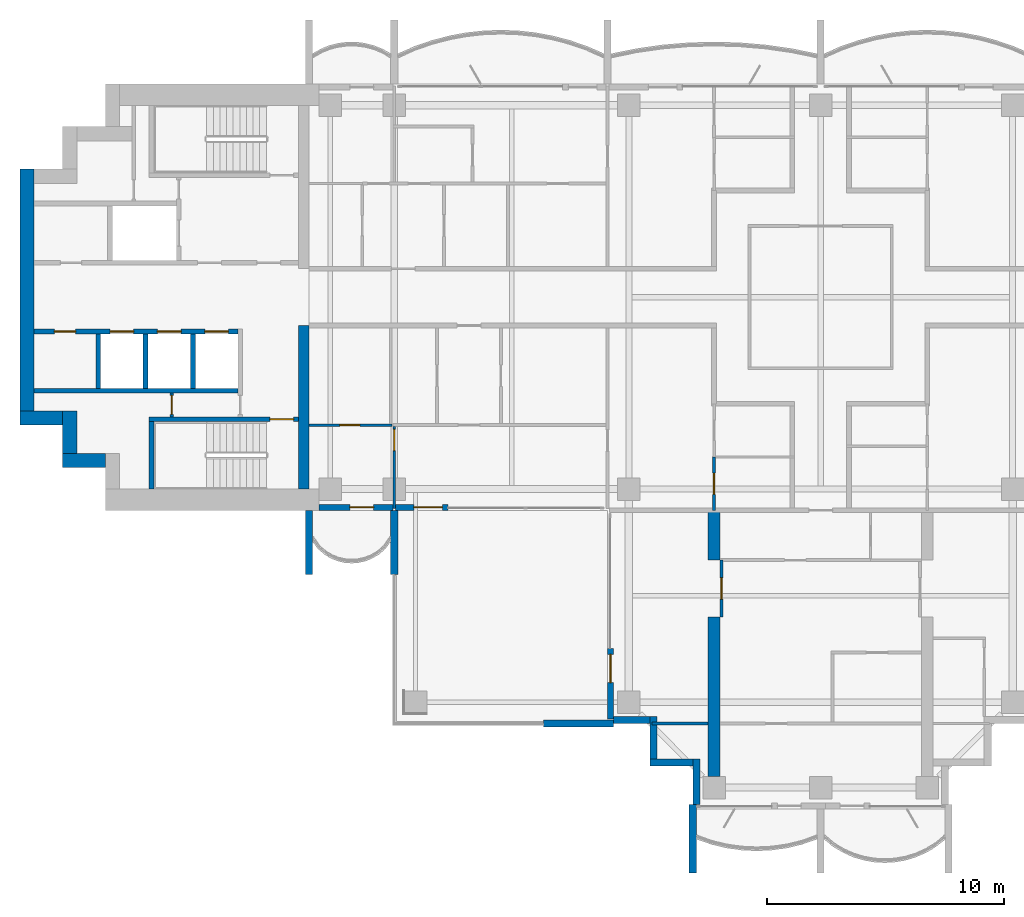
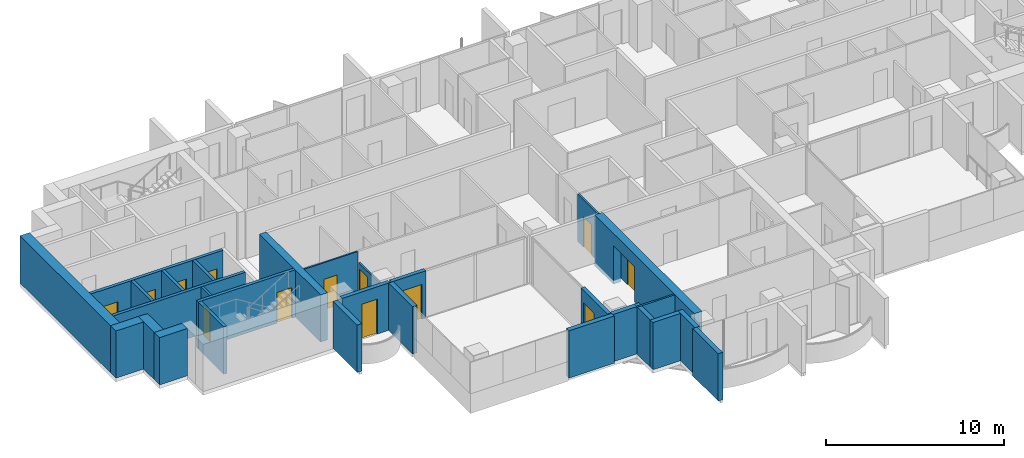
# One storey, part 8 of 18: 30 walls, 13 doors, 13 openings.
"""IFC4 building model written with IfcOpenShell, lengths in metres."""

import ifcopenshell
import ifcopenshell.guid

model = None  # the IFC model being written
_history = None  # IfcOwnerHistory: only IFC2X3 demands one
_inside = {}  # id of a spatial element -> (the spatial element, [elements in it])
_under = {}  # id of a project, library or spatial element -> (it, [spatial elements below it])
_declared = {}  # id of a project -> (the project, [libraries it declares])
_typed = {}  # id of a type object -> (the type object, [elements of that type])
_made_of = {}  # id of a material, layer set ... -> (it, [elements and type objects made of it])


def new_model(schema):
    """Start an empty IFC model of exactly this schema.

    Asked for "IFC4X3", IfcOpenShell would pick the latest addendum, in which some entities
    have other attributes; the version numbers below select the first issue.
    IFC2X3 requires an IfcOwnerHistory on every rooted entity: one is made here for all.
    """
    global model, _history
    if schema == "IFC4X3":
        model = ifcopenshell.file(schema_version=(4, 3, 0, 0))
    else:
        model = ifcopenshell.file(schema=schema)
    _inside.clear()
    _under.clear()
    _declared.clear()
    _typed.clear()
    _made_of.clear()
    _history = None
    if model.schema == "IFC2X3":
        org = make("IfcOrganization", Name="unknown")
        user = make(
            "IfcPersonAndOrganization",
            ThePerson=make("IfcPerson", FamilyName="unknown"),
            TheOrganization=org,
        )
        app = make(
            "IfcApplication",
            ApplicationDeveloper=org,
            Version="unknown",
            ApplicationFullName="unknown",
            ApplicationIdentifier="unknown",
        )
        _history = make(
            "IfcOwnerHistory",
            OwningUser=user,
            OwningApplication=app,
            ChangeAction="ADDED",
            CreationDate=0,
        )
    return model


def make(cls, **values):
    """One entity of the class cls with the attributes given. An attribute that is None is left unset."""
    return model.create_entity(
        cls, **{name: value for name, value in values.items() if value is not None}
    )


def rooted(cls, **values):
    """An entity with a GlobalId (a new one), such as an element, a storey or a relation."""
    return make(cls, GlobalId=ifcopenshell.guid.new(), OwnerHistory=_history, **values)


def si_unit(unit_type, name, prefix=None):
    """IfcSIUnit, for example si_unit("LENGTHUNIT", "METRE", prefix="MILLI")."""
    return make("IfcSIUnit", UnitType=unit_type, Prefix=prefix, Name=name)


def assignment(units):
    """IfcUnitAssignment: the units of a project."""
    return None if units is None else make("IfcUnitAssignment", Units=units)


def point(xyz):
    """IfcCartesianPoint."""
    return None if xyz is None else make("IfcCartesianPoint", Coordinates=xyz)


def direction(xyz):
    """IfcDirection."""
    return None if xyz is None else make("IfcDirection", DirectionRatios=xyz)


def frame(location, z_axis=None, x_axis=None):
    """IfcAxis2Placement3D, a coordinate frame: its origin and axes. An axis left out is left unset."""
    return make(
        "IfcAxis2Placement3D",
        Location=point(location),
        Axis=direction(z_axis),
        RefDirection=direction(x_axis),
    )


def frame_2d(location, x_axis=None):
    """IfcAxis2Placement2D, a coordinate frame in the plane: its origin and x axis."""
    return make(
        "IfcAxis2Placement2D", Location=point(location), RefDirection=direction(x_axis)
    )


def origin():
    """The frame at (0, 0, 0) with its axes left unset."""
    return frame((0.0, 0.0, 0.0))


def place(relative_to, where):
    """IfcLocalPlacement: puts the frame where relative to a parent placement (None: the world)."""
    return make(
        "IfcLocalPlacement", PlacementRelTo=relative_to, RelativePlacement=where
    )


def context(
    kind, dimensions, precision=None, world=None, true_north=None, identifier=None
):
    """IfcGeometricRepresentationContext, for example the 3D "Model" context."""
    return make(
        "IfcGeometricRepresentationContext",
        ContextIdentifier=identifier,
        ContextType=kind,
        CoordinateSpaceDimension=dimensions,
        Precision=precision,
        WorldCoordinateSystem=world,
        TrueNorth=true_north,
    )


def subcontext(parent, identifier, kind, view, scale=None):
    """IfcGeometricRepresentationSubContext, for example "Body" below "Model"."""
    return make(
        "IfcGeometricRepresentationSubContext",
        ContextIdentifier=identifier,
        ContextType=kind,
        ParentContext=parent,
        TargetScale=scale,
        TargetView=view,
    )


def project(units=None, contexts=None):
    """IfcProject with its units and contexts."""
    return rooted(
        "IfcProject",
        Name="project",
        RepresentationContexts=contexts,
        UnitsInContext=assignment(units),
    )


def spatial(cls, under=None, at=None, **own):
    """A site, building, storey or space (cls), placed at a placement, below another one or the project."""
    s = rooted(cls, ObjectPlacement=at, **own)
    if under is not None:
        _under.setdefault(under.id(), (under, []))[1].append(s)
    return s


def polyline(points):
    """IfcPolyline through the points."""
    return make("IfcPolyline", Points=[point(p) for p in points])


def profile(cls, at=None, kind="AREA", **sizes):
    """A parametric profile (cls). Its sizes go by their IFC names, for example OverallWidth=200.0."""
    return make(cls, ProfileType=kind, Position=at, **sizes)


def rectangle(**sizes):
    """IfcRectangleProfileDef."""
    return profile("IfcRectangleProfileDef", **sizes)


def outline(outer, holes=None, kind="AREA"):
    """IfcArbitraryClosedProfileDef: a profile drawn as a closed curve; with holes, ...WithVoids."""
    if holes is None:
        return make("IfcArbitraryClosedProfileDef", ProfileType=kind, OuterCurve=outer)
    return make(
        "IfcArbitraryProfileDefWithVoids",
        ProfileType=kind,
        OuterCurve=outer,
        InnerCurves=holes,
    )


def extrude(swept, where, along, depth):
    """IfcExtrudedAreaSolid: the profile swept, set in the frame where, extruded along a direction by depth."""
    return make(
        "IfcExtrudedAreaSolid",
        SweptArea=swept,
        Position=where,
        ExtrudedDirection=direction(along),
        Depth=depth,
    )


def shape(context_of_items, identifier, shape_type, items):
    """IfcShapeRepresentation: the items that make up one representation, for example the "Body"."""
    return make(
        "IfcShapeRepresentation",
        ContextOfItems=context_of_items,
        RepresentationIdentifier=identifier,
        RepresentationType=shape_type,
        Items=items,
    )


def material(Name=None, Category=None):
    """IfcMaterial."""
    return make("IfcMaterial", Name=Name, Category=Category)


def layer(
    of_material, thickness, ventilated=None, Name=None, Category=None, Priority=None
):
    """IfcMaterialLayer: one layer of a wall or slab, of a material (None: an air gap)."""
    return make(
        "IfcMaterialLayer",
        Material=of_material,
        LayerThickness=thickness,
        IsVentilated=ventilated,
        Name=Name,
        Category=Category,
        Priority=Priority,
    )


def layer_set(layers, Name=None):
    """IfcMaterialLayerSet."""
    return make("IfcMaterialLayerSet", MaterialLayers=layers, LayerSetName=Name)


def material_profile(
    of_material, cross_section, Name=None, Category=None, Priority=None
):
    """IfcMaterialProfile: a cross section and its material."""
    return make(
        "IfcMaterialProfile",
        Name=Name,
        Material=of_material,
        Profile=cross_section,
        Priority=Priority,
        Category=Category,
    )


def profile_set(profiles, Name=None, composite=None):
    """IfcMaterialProfileSet."""
    return make(
        "IfcMaterialProfileSet",
        Name=Name,
        MaterialProfiles=profiles,
        CompositeProfile=composite,
    )


def made_of(thing, what):
    """Note that an element or type object is made of a material, layer set ...; save() writes the relation."""
    if what is not None:
        _made_of.setdefault(what.id(), (what, []))[1].append(thing)
    return thing


def type_object(cls, material=None, **own):
    """A type object (cls), such as IfcWallType, which elements share."""
    return made_of(rooted(cls, **own), material)


def element(
    cls,
    number,
    at=None,
    inside=None,
    cuts=None,
    type_object=None,
    material=None,
    context=None,
    identifier="Body",
    shape_type=None,
    held_by="IfcProductDefinitionShape",
    body=None,
    shapes=None,
    **own,
):
    """One element of the class cls, such as IfcWall. Its Tag is "e" and its number.

    at: its placement. inside: the storey or other place that contains it. cuts: it is an
    opening in that element (IfcRelVoidsElement). A single representation is given by context,
    identifier, shape_type and body (its items); several are given by shapes. held_by: the class
    of the entity that holds the representations. save() writes the other relations.
    """
    e = rooted(cls, Tag="e%d" % number, ObjectPlacement=at, **own)
    if body is not None:
        shapes = [shape(context, identifier, shape_type, body)]
    if shapes is not None:
        e.Representation = make(held_by, Representations=shapes)
    if inside is not None:
        _inside.setdefault(inside.id(), (inside, []))[1].append(e)
    if cuts is not None:
        rooted(
            "IfcRelVoidsElement", RelatingBuildingElement=cuts, RelatedOpeningElement=e
        )
    if type_object is not None:
        _typed.setdefault(type_object.id(), (type_object, []))[1].append(e)
    return made_of(e, material)


def fill(opening, filler):
    """IfcRelFillsElement: the door or window that sits in an opening."""
    return rooted(
        "IfcRelFillsElement",
        RelatingOpeningElement=opening,
        RelatedBuildingElement=filler,
    )


def aggregate(whole, parts):
    """IfcRelAggregates: a whole, such as a stair, and the parts it consists of."""
    return rooted("IfcRelAggregates", RelatingObject=whole, RelatedObjects=parts)


def save(model, path):
    """Write the relations noted so far, then the file.

    IfcRelAggregates (storeys below a building ...), IfcRelContainedInSpatialStructure (elements
    in a storey), IfcRelDefinesByType, IfcRelAssociatesMaterial and IfcRelDeclares: one each for
    every whole, place, type object, material and project.
    """
    for whole, parts in _under.values():
        aggregate(whole, parts)
    for where, things in _inside.values():
        rooted(
            "IfcRelContainedInSpatialStructure",
            RelatedElements=things,
            RelatingStructure=where,
        )
    for kind, things in _typed.values():
        rooted("IfcRelDefinesByType", RelatedObjects=things, RelatingType=kind)
    for what, things in _made_of.values():
        rooted("IfcRelAssociatesMaterial", RelatedObjects=things, RelatingMaterial=what)
    for by, libraries in _declared.values():
        rooted("IfcRelDeclares", RelatingContext=by, RelatedDefinitions=libraries)
    model.write(path)


model = new_model("IFC4")

# Units and contexts
model_context = context("Model", 3, precision=1e-05, world=origin(), true_north=direction((0.0, 1.0)))
body_context = subcontext(model_context, "Body", "Model", "MODEL_VIEW")
ifc_project = project(units=[si_unit("LENGTHUNIT", "METRE"), si_unit("AREAUNIT", "SQUARE_METRE"), si_unit("VOLUMEUNIT", "CUBIC_METRE"), si_unit("PLANEANGLEUNIT", "RADIAN"), si_unit("MASSUNIT", "GRAM", prefix="KILO")], contexts=[model_context])

# Site, building, storey
site_placement = place(None, origin())
site = spatial("IfcSite", under=ifc_project, at=site_placement, CompositionType="ELEMENT")
building_placement = place(site_placement, origin())
building = spatial("IfcBuilding", under=site, at=building_placement, Name="Perihelion Cross Residences", CompositionType="ELEMENT")
storey_placement = place(building_placement, frame((0.0, 0.0, 173.60009765625)))
storey = spatial("IfcBuildingStorey", under=building, at=storey_placement, Name="L42", CompositionType="ELEMENT", Elevation=173.60009765625)

# Wall, opening, door
ifc_material_1 = material(Name="Concrete C30/37, bronze-clad", Category="concrete")
ifc_layer_1 = layer(ifc_material_1, 0.25)
ifc_layer_set_1 = layer_set([ifc_layer_1], Name="Bronze-clad pier wall 250")
wall_type_1 = type_object("IfcWallType", Name="Bronze-clad pier wall 250", PredefinedType="SOLIDWALL", material=ifc_layer_set_1)
wall_1_placement = place(storey_placement, frame((-21.175048828125, -8.875, 0.0), z_axis=(0.0, 0.0, 1.0), x_axis=(1.0, 0.0, 0.0)))
wall_1 = element("IfcWall", 1, at=wall_1_placement, inside=storey, type_object=wall_type_1, Name="Wall FW1 L42 west side south bay 1 pier", PredefinedType="SOLIDWALL", context=body_context, shape_type="SweptSolid", body=[
    extrude(rectangle(XDim=3.114990234375, YDim=0.25, at=frame_2d((1.5576171875, 0.0))), origin(), (0.0, 0.0, 1.0), 3.25),
])
opening_1_placement = place(wall_1_placement, frame((1.300048828125, 0.0, 0.0)))
opening_1 = element("IfcOpeningElement", 2, at=opening_1_placement, cuts=wall_1, Name="Opening L42.E07", PredefinedType="OPENING", context=body_context, shape_type="SweptSolid", body=[
    extrude(rectangle(XDim=1.0, YDim=2.39990234375, at=frame_2d((0.5, 1.199951171875))), frame((0.0, 0.135009765625, 0.0), z_axis=(0.0, -1.0, 0.0), x_axis=(1.0, 0.0, 0.0)), (0.0, 0.0, 1.0), 0.27001953125),
])
ifc_material_2 = material(Name="Bronze anodised aluminium, glazed", Category="aluminium")
door_type_1 = type_object("IfcDoorType", Name="Balcony door 1000 x 2400", OperationType="NOTDEFINED", PredefinedType="DOOR", material=ifc_material_2)
door_1_placement = place(opening_1_placement, origin())
door_1 = element("IfcDoor", 3, at=door_1_placement, inside=storey, type_object=door_type_1, Name="Door L42.E07 west side south bay 1", OperationType="SINGLE_SWING_LEFT", OverallHeight=2.39990234375, OverallWidth=1.0, PredefinedType="DOOR", context=body_context, shape_type="SweptSolid", body=[
    extrude(rectangle(XDim=1.0, YDim=2.39990234375, at=frame_2d((0.5, 1.199951171875))), frame((0.0, 0.02490234375, 0.0), z_axis=(0.0, -1.0, 0.0), x_axis=(1.0, 0.0, 0.0)), (0.0, 0.0, 1.0), 0.050048828125),
])
fill(opening_1, door_1)

wall_2_placement = place(storey_placement, frame((-17.93994140625, -8.875, 0.0), z_axis=(0.0, 0.0, 1.0), x_axis=(1.0, 0.0, 0.0)))
wall_2 = element("IfcWall", 4, at=wall_2_placement, inside=storey, type_object=wall_type_1, Name="Wall FW1 L42 west side south bay 2 pier", PredefinedType="SOLIDWALL", context=body_context, shape_type="SweptSolid", body=[
    extrude(rectangle(XDim=2.21484375, YDim=0.25, at=frame_2d((1.107421875, 0.0))), origin(), (0.0, 0.0, 1.0), 3.25),
])
opening_2_placement = place(wall_2_placement, frame((0.764892578125, 0.0, 0.0)))
opening_2 = element("IfcOpeningElement", 5, at=opening_2_placement, cuts=wall_2, Name="Opening L42.E08", PredefinedType="OPENING", context=body_context, shape_type="SweptSolid", body=[
    extrude(rectangle(XDim=1.199951171875, YDim=2.39990234375, at=frame_2d((0.60009765625, 1.199951171875))), frame((0.0, 0.135009765625, 0.0), z_axis=(0.0, -1.0, 0.0), x_axis=(1.0, 0.0, 0.0)), (0.0, 0.0, 1.0), 0.27001953125),
])
ifc_material_3 = material(Name="Bronze anodised aluminium, glazed", Category="aluminium")
door_type_2 = type_object("IfcDoorType", Name="Balcony door 1200 x 2400", OperationType="NOTDEFINED", PredefinedType="DOOR", material=ifc_material_3)
door_2_placement = place(opening_2_placement, origin())
door_2 = element("IfcDoor", 6, at=door_2_placement, inside=storey, type_object=door_type_2, Name="Door L42.E08 west side south bay 2", OperationType="SINGLE_SWING_RIGHT", OverallHeight=2.39990234375, OverallWidth=1.199951171875, PredefinedType="DOOR", context=body_context, shape_type="SweptSolid", body=[
    extrude(rectangle(XDim=1.199951171875, YDim=2.39990234375, at=frame_2d((0.60009765625, 1.199951171875))), frame((0.0, 0.02490234375, 0.0), z_axis=(0.0, -1.0, 0.0), x_axis=(1.0, 0.0, 0.0)), (0.0, 0.0, 1.0), 0.050048828125),
])
fill(opening_2, door_2)

wall_3_placement = place(storey_placement, frame((-8.875, -14.824951171875, 0.0), z_axis=(0.0, 0.0, 1.0), x_axis=(0.0, -1.0, 0.0)))
wall_3 = element("IfcWall", 7, at=wall_3_placement, inside=storey, type_object=wall_type_1, Name="Wall FW1 L42 south side west bay 1 pier", PredefinedType="SOLIDWALL", context=body_context, shape_type="SweptSolid", body=[
    extrude(rectangle(XDim=2.97509765625, YDim=0.25, at=frame_2d((1.487548828125, 0.0))), origin(), (0.0, 0.0, 1.0), 3.25),
])
opening_3_placement = place(wall_3_placement, frame((0.25, 0.0, 0.0)))
opening_3 = element("IfcOpeningElement", 8, at=opening_3_placement, cuts=wall_3, Name="Opening L42.E09", PredefinedType="OPENING", context=body_context, shape_type="SweptSolid", body=[
    extrude(rectangle(XDim=1.199951171875, YDim=2.39990234375, at=frame_2d((0.60009765625, 1.199951171875))), frame((0.0, 0.135009765625, 0.0), z_axis=(0.0, -1.0, 0.0), x_axis=(1.0, 0.0, 0.0)), (0.0, 0.0, 1.0), 0.27001953125),
])
door_3_placement = place(opening_3_placement, origin())
door_3 = element("IfcDoor", 9, at=door_3_placement, inside=storey, type_object=door_type_2, Name="Door L42.E09 south side west bay 1", OperationType="SINGLE_SWING_LEFT", OverallHeight=2.39990234375, OverallWidth=1.199951171875, PredefinedType="DOOR", context=body_context, shape_type="SweptSolid", body=[
    extrude(rectangle(XDim=1.199951171875, YDim=2.39990234375, at=frame_2d((0.60009765625, 1.199951171875))), frame((0.0, 0.02490234375, 0.0), z_axis=(0.0, -1.0, 0.0), x_axis=(1.0, 0.0, 0.0)), (0.0, 0.0, 1.0), 0.050048828125),
])
fill(opening_3, door_3)

# Walls
ifc_material_4 = material(Name="Concrete C30/37, bronze-clad", Category="concrete")
ifc_layer_2 = layer(ifc_material_4, 0.300048828125)
ifc_layer_set_2 = layer_set([ifc_layer_2], Name="Bronze-clad serration wall 300")
wall_type_2 = type_object("IfcWallType", Name="Bronze-clad serration wall 300", PredefinedType="SOLIDWALL", material=ifc_layer_set_2)
wall_4_placement = place(storey_placement, frame((-8.75, -17.85009765625, 0.0), z_axis=(0.0, 0.0, 1.0), x_axis=(1.0, 0.0, 0.0)))
element("IfcWall", 10, at=wall_4_placement, inside=storey, type_object=wall_type_2, Name="Wall SR1 L42 south corner south-west 1", PredefinedType="SOLIDWALL", context=body_context, shape_type="SweptSolid", body=[
    extrude(rectangle(XDim=1.550048828125, YDim=0.300048828125, at=frame_2d((0.77490234375, 0.0))), origin(), (0.0, 0.0, 1.0), 3.25),
])
for number, where, z_axis, x_axis, name in (
    (11, (-7.050048828125, -17.699951171875, 0.0), (0.0, 0.0, 1.0), (0.0, -1.0, 0.0), "Wall SR1 L42 south corner south-west 2"),
    (12, (-7.199951171875, -19.64990234375, 0.0), (0.0, 0.0, 1.0), (1.0, 0.0, 0.0), "Wall SR1 L42 south corner south-west 3"),
):
    element("IfcWall", number, at=place(storey_placement, frame(where, z_axis=z_axis, x_axis=x_axis)), inside=storey, type_object=wall_type_2, Name=name, PredefinedType="SOLIDWALL", context=body_context, shape_type="SweptSolid", body=[
        extrude(rectangle(XDim=1.800048828125, YDim=0.300048828125, at=frame_2d((0.89990234375, 0.0))), origin(), (0.0, 0.0, 1.0), 3.25),
    ])
wall_5_placement = place(storey_placement, frame((-5.25, -19.5, 0.0), z_axis=(0.0, 0.0, 1.0), x_axis=(0.0, -1.0, 0.0)))
element("IfcWall", 13, at=wall_5_placement, inside=storey, type_object=wall_type_2, Name="Wall SR1 L42 south corner south-west 4", PredefinedType="SOLIDWALL", context=body_context, shape_type="SweptSolid", body=[
    extrude(rectangle(XDim=1.919921875, YDim=0.300048828125, at=frame_2d((0.9599609375, 0.0))), origin(), (0.0, 0.0, 1.0), 3.25),
])
ifc_material_5 = material(Name="Concrete C60/75", Category="concrete")
ifc_layer_3 = layer(ifc_material_5, 0.449951171875)
ifc_layer_set_3 = layer_set([ifc_layer_3], Name="Core wall, inner 450")
wall_type_3 = type_object("IfcWallType", Name="Core wall, inner 450", PredefinedType="SHEAR", material=ifc_layer_set_3)
wall_6_placement = place(storey_placement, frame((-21.824951171875, -8.10009765625, 0.0), z_axis=(0.0, 0.0, 1.0), x_axis=(0.0, 1.0, 0.0)))
element("IfcWall", 14, at=wall_6_placement, inside=storey, type_object=wall_type_3, Name="West core core wall, inner", PredefinedType="SHEAR", context=body_context, shape_type="SweptSolid", body=[
    extrude(rectangle(XDim=6.900146484375, YDim=0.449951171875, at=frame_2d((3.4501953125, 0.0))), origin(), (0.0, 0.0, 1.0), 3.25),
])
ifc_material_6 = material(Name="Concrete C60/75", Category="concrete")
ifc_layer_4 = layer(ifc_material_6, 0.60009765625)
ifc_layer_set_4 = layer_set([ifc_layer_4], Name="Core wall, outer 600")
wall_type_4 = type_object("IfcWallType", Name="Core wall, outer 600", PredefinedType="SHEAR", material=ifc_layer_set_4)
for number, where, z_axis, x_axis, name in (
    (15, (-32.0, -6.89990234375, 0.0), (0.0, 0.0, 1.0), (1.0, 0.0, 0.0), "West core core wall, outer"),
    (16, (-31.699951171875, -6.60009765625, 0.0), (0.0, 0.0, 1.0), (0.0, 1.0, 0.0), "West core core wall, outer"),
    (17, (-33.800048828125, -5.10009765625, 0.0), (0.0, 0.0, 1.0), (1.0, 0.0, 0.0), "West core core wall, outer"),
):
    element("IfcWall", number, at=place(storey_placement, frame(where, z_axis=z_axis, x_axis=x_axis)), inside=storey, type_object=wall_type_4, Name=name, PredefinedType="SHEAR", context=body_context, shape_type="SweptSolid", body=[
        extrude(rectangle(XDim=1.800048828125, YDim=0.60009765625, at=frame_2d((0.89990234375, 0.0))), origin(), (0.0, 0.0, 1.0), 3.25),
    ])
wall_7_placement = place(storey_placement, frame((-33.5, -4.800048828125, 0.0), z_axis=(0.0, 0.0, 1.0), x_axis=(0.0, 1.0, 0.0)))
element("IfcWall", 18, at=wall_7_placement, inside=storey, type_object=wall_type_4, Name="West core core wall, outer", PredefinedType="SHEAR", context=body_context, shape_type="SweptSolid", body=[
    extrude(rectangle(XDim=10.199951171875, YDim=0.60009765625, at=frame_2d((5.10009765625, 0.0))), origin(), (0.0, 0.0, 1.0), 3.25),
])

# Wall, opening, door
ifc_material_7 = material(Name="Plasterboard partition")
ifc_layer_5 = layer(ifc_material_7, 0.1201171875)
ifc_layer_set_5 = layer_set([ifc_layer_5], Name="Infill panel 120")
wall_type_5 = type_object("IfcWallType", Name="Infill panel 120", PredefinedType="PARTITIONING", material=ifc_layer_set_5)
wall_8_placement = place(storey_placement, frame((-4.18994140625, -11.10009765625, 0.0), z_axis=(0.0, 0.0, 1.0), x_axis=(0.0, -1.0, 0.0)))
wall_8 = element("IfcWall", 19, at=wall_8_placement, inside=storey, type_object=wall_type_5, Name="Partition L42 WI02", PredefinedType="PARTITIONING", context=body_context, shape_type="SweptSolid", body=[
    extrude(rectangle(XDim=2.39990234375, YDim=0.1201171875, at=frame_2d((1.199951171875, 0.0))), origin(), (0.0, 0.0, 1.0), 2.39990234375),
])
opening_4_placement = place(wall_8_placement, frame((0.75, 0.0, 0.0)))
opening_4 = element("IfcOpeningElement", 20, at=opening_4_placement, cuts=wall_8, Name="Opening L42.A50", PredefinedType="OPENING", context=body_context, shape_type="SweptSolid", body=[
    extrude(rectangle(XDim=0.89990234375, YDim=2.10009765625, at=frame_2d((0.449951171875, 1.050048828125))), frame((0.0, 0.070068359375, 0.0), z_axis=(0.0, -1.0, 0.0), x_axis=(1.0, 0.0, 0.0)), (0.0, 0.0, 1.0), 0.14013671875),
])
ifc_material_8 = material(Name="Timber door leaf", Category="wood")
door_type_3 = type_object("IfcDoorType", Name="Interior room door 900 x 2100", OperationType="SINGLE_SWING_LEFT", PredefinedType="DOOR", material=ifc_material_8)
door_4_placement = place(opening_4_placement, origin())
door_4 = element("IfcDoor", 21, at=door_4_placement, inside=storey, type_object=door_type_3, Name="Door L42.A50", OperationType="SINGLE_SWING_RIGHT", OverallHeight=2.10009765625, OverallWidth=0.89990234375, PredefinedType="DOOR", context=body_context, shape_type="SweptSolid", body=[
    extrude(rectangle(XDim=0.89990234375, YDim=2.10009765625, at=frame_2d((0.449951171875, 1.050048828125))), frame((0.0, 0.02490234375, 0.0), z_axis=(0.0, -1.0, 0.0), x_axis=(1.0, 0.0, 0.0)), (0.0, 0.0, 1.0), 0.050048828125),
])
fill(opening_4, door_4)

ifc_material_9 = material(Name="Plasterboard partition")
ifc_layer_6 = layer(ifc_material_9, 0.1201171875)
ifc_layer_set_6 = layer_set([ifc_layer_6], Name="Partition wall 120")
wall_type_6 = type_object("IfcWallType", Name="Partition wall 120", PredefinedType="PARTITIONING", material=ifc_layer_set_6)
wall_9_placement = place(storey_placement, frame((-18.0, -8.919921875, 0.0), z_axis=(0.0, 0.0, 1.0), x_axis=(0.0, 1.0, 0.0)))
wall_9 = element("IfcWall", 22, at=wall_9_placement, inside=storey, type_object=wall_type_6, Name="Partition L42 W069", PredefinedType="PARTITIONING", context=body_context, shape_type="SweptSolid", body=[
    extrude(rectangle(XDim=3.4599609375, YDim=0.1201171875, at=frame_2d((1.72998046875, 0.0))), origin(), (0.0, 0.0, 1.0), 2.47998046875),
])
opening_5_placement = place(wall_9_placement, frame((2.43994140625, 0.0, 0.0)))
opening_5 = element("IfcOpeningElement", 23, at=opening_5_placement, cuts=wall_9, Name="Opening L42.A35", PredefinedType="OPENING", context=body_context, shape_type="SweptSolid", body=[
    extrude(rectangle(XDim=0.89990234375, YDim=2.10009765625, at=frame_2d((0.449951171875, 1.050048828125))), frame((0.0, 0.070068359375, 0.0), z_axis=(0.0, -1.0, 0.0), x_axis=(1.0, 0.0, 0.0)), (0.0, 0.0, 1.0), 0.14013671875),
])
door_5_placement = place(opening_5_placement, origin())
door_5 = element("IfcDoor", 24, at=door_5_placement, inside=storey, type_object=door_type_3, Name="Door L42.A35", OperationType="SINGLE_SWING_RIGHT", OverallHeight=2.10009765625, OverallWidth=0.89990234375, PredefinedType="DOOR", context=body_context, shape_type="SweptSolid", body=[
    extrude(rectangle(XDim=0.89990234375, YDim=2.10009765625, at=frame_2d((0.449951171875, 1.050048828125))), frame((0.0, 0.02490234375, 0.0), z_axis=(0.0, -1.0, 0.0), x_axis=(1.0, 0.0, 0.0)), (0.0, 0.0, 1.0), 0.050048828125),
])
fill(opening_5, door_5)

wall_10_placement = place(storey_placement, frame((-4.5, -6.75, 0.0), z_axis=(0.0, 0.0, 1.0), x_axis=(0.0, -1.0, 0.0)))
wall_10 = element("IfcWall", 25, at=wall_10_placement, inside=storey, type_object=wall_type_6, Name="Partition L42 W071", PredefinedType="PARTITIONING", context=body_context, shape_type="SweptSolid", body=[
    extrude(rectangle(XDim=2.25, YDim=0.1201171875, at=frame_2d((1.125, 0.0))), origin(), (0.0, 0.0, 1.0), 3.25),
])
opening_6_placement = place(wall_10_placement, frame((0.675048828125, 0.0, 0.0)))
opening_6 = element("IfcOpeningElement", 26, at=opening_6_placement, cuts=wall_10, Name="Opening L42.A33", PredefinedType="OPENING", context=body_context, shape_type="SweptSolid", body=[
    extrude(rectangle(XDim=0.89990234375, YDim=2.10009765625, at=frame_2d((0.449951171875, 1.050048828125))), frame((0.0, 0.070068359375, 0.0), z_axis=(0.0, -1.0, 0.0), x_axis=(1.0, 0.0, 0.0)), (0.0, 0.0, 1.0), 0.14013671875),
])
door_6_placement = place(opening_6_placement, origin())
door_6 = element("IfcDoor", 27, at=door_6_placement, inside=storey, type_object=door_type_3, Name="Door L42.A33", OperationType="SINGLE_SWING_LEFT", OverallHeight=2.10009765625, OverallWidth=0.89990234375, PredefinedType="DOOR", context=body_context, shape_type="SweptSolid", body=[
    extrude(rectangle(XDim=0.89990234375, YDim=2.10009765625, at=frame_2d((0.449951171875, 1.050048828125))), frame((0.0, 0.02490234375, 0.0), z_axis=(0.0, -1.0, 0.0), x_axis=(1.0, 0.0, 0.0)), (0.0, 0.0, 1.0), 0.050048828125),
])
fill(opening_6, door_6)

# Walls
wall_11_placement = place(storey_placement, frame((-4.75, -18.0, 0.0), z_axis=(0.0, 0.0, 1.0), x_axis=(-1.0, 0.0, 0.0)))
element("IfcWall", 28, at=wall_11_placement, inside=storey, type_object=wall_type_6, Name="Partition L42 W082", PredefinedType="PARTITIONING", context=body_context, shape_type="SweptSolid", body=[
    extrude(rectangle(XDim=2.3701171875, YDim=0.1201171875, at=frame_2d((1.18505859375, 0.0))), origin(), (0.0, 0.0, 1.0), 3.25),
])
ifc_material_10 = material(Name="Precast concrete C50/60", Category="concrete")
ifc_layer_7 = layer(ifc_material_10, 0.300048828125)
ifc_layer_set_7 = layer_set([ifc_layer_7], Name="Precast concrete C50/60 blade wall 300")
wall_type_7 = type_object("IfcWallType", Name="Precast concrete C50/60 blade wall 300", PredefinedType="SOLIDWALL", material=ifc_layer_set_7)
for number, where, z_axis, x_axis, name in (
    (29, (-21.60009765625, -9.0, 0.0), (0.0, 0.0, 1.0), (0.0, -1.0, 0.0), "Wall BL1 L42 no. 3"),
    (30, (-18.0, -9.0, 0.0), (0.0, 0.0, 1.0), (0.0, -1.0, 0.0), "Wall BL1 L42 no. 1"),
):
    element("IfcWall", number, at=place(storey_placement, frame(where, z_axis=z_axis, x_axis=x_axis)), inside=storey, type_object=wall_type_7, Name=name, PredefinedType="SOLIDWALL", context=body_context, shape_type="SweptSolid", body=[
        extrude(rectangle(XDim=2.699951171875, YDim=0.300048828125, at=frame_2d((1.35009765625, 0.0))), origin(), (0.0, 0.0, 1.0), 3.25),
    ])
wall_12_placement = place(storey_placement, frame((-8.75, -18.0, 0.0), z_axis=(0.0, 0.0, 1.0), x_axis=(-1.0, 0.0, 0.0)))
element("IfcWall", 31, at=wall_12_placement, inside=storey, type_object=wall_type_7, Name="Wall BL1 L42 no. 6", PredefinedType="SOLIDWALL", context=body_context, shape_type="SweptSolid", body=[
    extrude(rectangle(XDim=2.949951171875, YDim=0.300048828125, at=frame_2d((1.47509765625, 0.0))), origin(), (0.0, 0.0, 1.0), 3.25),
])
wall_13_placement = place(storey_placement, frame((-5.39990234375, -21.419921875, 0.0), z_axis=(0.0, 0.0, 1.0), x_axis=(0.0, -1.0, 0.0)))
element("IfcWall", 32, at=wall_13_placement, inside=storey, type_object=wall_type_7, Name="Wall BL1 L42 no. 5", PredefinedType="SOLIDWALL", context=body_context, shape_type="SweptSolid", body=[
    extrude(rectangle(XDim=2.880126953125, YDim=0.300048828125, at=frame_2d((1.43994140625, 0.0))), origin(), (0.0, 0.0, 1.0), 3.25),
])

# Wall, opening, door
ifc_material_11 = material(Name="Fire-rated board on steel stud", Category="steel")
ifc_layer_8 = layer(ifc_material_11, 0.14990234375)
ifc_layer_set_8 = layer_set([ifc_layer_8], Name="Riser wall 150")
wall_type_8 = type_object("IfcWallType", Name="Riser wall 150", PredefinedType="PARTITIONING", material=ifc_layer_set_8)
wall_14_placement = place(storey_placement, frame((-27.39990234375, -5.050048828125, 0.0), z_axis=(0.0, 0.0, 1.0), x_axis=(0.0, 1.0, 0.0)))
wall_14 = element("IfcWall", 33, at=wall_14_placement, inside=storey, type_object=wall_type_8, Name="West core riser wall", PredefinedType="PARTITIONING", context=body_context, shape_type="SweptSolid", body=[
    extrude(rectangle(XDim=1.0, YDim=0.14990234375, at=frame_2d((0.5, 0.0))), origin(), (0.0, 0.0, 1.0), 3.25),
])
opening_7_placement = place(wall_14_placement, frame((0.10009765625, 0.0, 0.0)))
opening_7 = element("IfcOpeningElement", 34, at=opening_7_placement, cuts=wall_14, Name="Opening L42.C25", PredefinedType="OPENING", context=body_context, shape_type="SweptSolid", body=[
    extrude(rectangle(XDim=0.800048828125, YDim=2.10009765625, at=frame_2d((0.39990234375, 1.050048828125))), frame((0.0, 0.0849609375, 0.0), z_axis=(0.0, -1.0, 0.0), x_axis=(1.0, 0.0, 0.0)), (0.0, 0.0, 1.0), 0.169921875),
])
ifc_material_12 = material(Name="Steel, powder coated", Category="steel")
door_type_4 = type_object("IfcDoorType", Name="Riser door 800", OperationType="SINGLE_SWING_LEFT", PredefinedType="DOOR", material=ifc_material_12)
door_7_placement = place(opening_7_placement, origin())
door_7 = element("IfcDoor", 35, at=door_7_placement, inside=storey, type_object=door_type_4, Name="West core riser door", OperationType="SINGLE_SWING_LEFT", OverallHeight=2.10009765625, OverallWidth=0.800048828125, PredefinedType="DOOR", context=body_context, shape_type="SweptSolid", body=[
    extrude(rectangle(XDim=0.800048828125, YDim=2.10009765625, at=frame_2d((0.39990234375, 1.050048828125))), frame((0.0, 0.02490234375, 0.0), z_axis=(0.0, -1.0, 0.0), x_axis=(1.0, 0.0, 0.0)), (0.0, 0.0, 1.0), 0.050048828125),
])
fill(opening_7, door_7)

# Wall, openings, doors
ifc_material_13 = material(Name="Concrete C50/60", Category="concrete")
ifc_layer_9 = layer(ifc_material_13, 0.199951171875)
ifc_layer_set_9 = layer_set([ifc_layer_9], Name="Shaft wall 200")
wall_type_9 = type_object("IfcWallType", Name="Shaft wall 200", PredefinedType="SOLIDWALL", material=ifc_layer_set_9)
wall_15_placement = place(storey_placement, frame((-33.199951171875, -1.449951171875, 0.0), z_axis=(0.0, 0.0, 1.0), x_axis=(1.0, 0.0, 0.0)))
wall_15 = element("IfcWall", 36, at=wall_15_placement, inside=storey, type_object=wall_type_9, Name="West core shaft wall", PredefinedType="SOLIDWALL", context=body_context, shape_type="SweptSolid", body=[
    extrude(rectangle(XDim=8.599853515625, YDim=0.199951171875, at=frame_2d((4.2998046875, 0.0))), origin(), (0.0, 0.0, 1.0), 3.25),
])
opening_8_placement = place(wall_15_placement, frame((7.199951171875, 0.0, 0.0)))
opening_8 = element("IfcOpeningElement", 37, at=opening_8_placement, cuts=wall_15, Name="Opening L42.C15", PredefinedType="OPENING", context=body_context, shape_type="SweptSolid", body=[
    extrude(rectangle(XDim=1.0, YDim=2.10009765625, at=frame_2d((0.5, 1.050048828125))), frame((0.0, 0.10986328125, 0.0), z_axis=(0.0, -1.0, 0.0), x_axis=(1.0, 0.0, 0.0)), (0.0, 0.0, 1.0), 0.219970703125),
])
opening_9_placement = place(wall_15_placement, frame((5.199951171875, 0.0, 0.0)))
opening_9 = element("IfcOpeningElement", 38, at=opening_9_placement, cuts=wall_15, Name="Opening L42.C17", PredefinedType="OPENING", context=body_context, shape_type="SweptSolid", body=[
    extrude(rectangle(XDim=1.0, YDim=2.10009765625, at=frame_2d((0.5, 1.050048828125))), frame((0.0, 0.10986328125, 0.0), z_axis=(0.0, -1.0, 0.0), x_axis=(1.0, 0.0, 0.0)), (0.0, 0.0, 1.0), 0.219970703125),
])
opening_10_placement = place(wall_15_placement, frame((3.199951171875, 0.0, 0.0)))
opening_10 = element("IfcOpeningElement", 39, at=opening_10_placement, cuts=wall_15, Name="Opening L42.C18", PredefinedType="OPENING", context=body_context, shape_type="SweptSolid", body=[
    extrude(rectangle(XDim=1.0, YDim=2.10009765625, at=frame_2d((0.5, 1.050048828125))), frame((0.0, 0.10986328125, 0.0), z_axis=(0.0, -1.0, 0.0), x_axis=(1.0, 0.0, 0.0)), (0.0, 0.0, 1.0), 0.219970703125),
])
opening_11_placement = place(wall_15_placement, frame((0.85009765625, 0.0, 0.0)))
opening_11 = element("IfcOpeningElement", 40, at=opening_11_placement, cuts=wall_15, Name="Opening L42.C28", PredefinedType="OPENING", context=body_context, shape_type="SweptSolid", body=[
    extrude(rectangle(XDim=0.89990234375, YDim=2.10009765625, at=frame_2d((0.449951171875, 1.050048828125))), frame((0.0, 0.10986328125, 0.0), z_axis=(0.0, -1.0, 0.0), x_axis=(1.0, 0.0, 0.0)), (0.0, 0.0, 1.0), 0.219970703125),
])
ifc_material_14 = material(Name="Stainless steel", Category="steel")
door_type_5 = type_object("IfcDoorType", Name="Landing door 1000", OperationType="DOUBLE_DOOR_SLIDING", PredefinedType="DOOR", material=ifc_material_14)
door_8_placement = place(opening_8_placement, origin())
door_8 = element("IfcDoor", 41, at=door_8_placement, inside=storey, type_object=door_type_5, Name="Landing door, West core high-rise lift 1", OperationType="DOUBLE_DOOR_SLIDING", OverallHeight=2.10009765625, OverallWidth=1.0, PredefinedType="DOOR", context=body_context, shape_type="SweptSolid", body=[
    extrude(rectangle(XDim=1.0, YDim=2.10009765625, at=frame_2d((0.5, 1.050048828125))), frame((0.0, 0.02490234375, 0.0), z_axis=(0.0, -1.0, 0.0), x_axis=(1.0, 0.0, 0.0)), (0.0, 0.0, 1.0), 0.050048828125),
])
fill(opening_8, door_8)
door_9_placement = place(opening_9_placement, origin())
door_9 = element("IfcDoor", 42, at=door_9_placement, inside=storey, type_object=door_type_5, Name="Landing door, West core high-rise lift 2", OperationType="DOUBLE_DOOR_SLIDING", OverallHeight=2.10009765625, OverallWidth=1.0, PredefinedType="DOOR", context=body_context, shape_type="SweptSolid", body=[
    extrude(rectangle(XDim=1.0, YDim=2.10009765625, at=frame_2d((0.5, 1.050048828125))), frame((0.0, 0.02490234375, 0.0), z_axis=(0.0, -1.0, 0.0), x_axis=(1.0, 0.0, 0.0)), (0.0, 0.0, 1.0), 0.050048828125),
])
fill(opening_9, door_9)
door_10_placement = place(opening_10_placement, origin())
door_10 = element("IfcDoor", 43, at=door_10_placement, inside=storey, type_object=door_type_5, Name="Landing door, West core high-rise lift 3", OperationType="DOUBLE_DOOR_SLIDING", OverallHeight=2.10009765625, OverallWidth=1.0, PredefinedType="DOOR", context=body_context, shape_type="SweptSolid", body=[
    extrude(rectangle(XDim=1.0, YDim=2.10009765625, at=frame_2d((0.5, 1.050048828125))), frame((0.0, 0.02490234375, 0.0), z_axis=(0.0, -1.0, 0.0), x_axis=(1.0, 0.0, 0.0)), (0.0, 0.0, 1.0), 0.050048828125),
])
fill(opening_10, door_10)
ifc_material_15 = material(Name="Steel, powder coated", Category="steel")
door_type_6 = type_object("IfcDoorType", Name="Service room door 900", OperationType="SINGLE_SWING_LEFT", PredefinedType="DOOR", material=ifc_material_15)
door_11_placement = place(opening_11_placement, origin())
door_11 = element("IfcDoor", 44, at=door_11_placement, inside=storey, type_object=door_type_6, Name="West core service room door", OperationType="SINGLE_SWING_LEFT", OverallHeight=2.10009765625, OverallWidth=0.89990234375, PredefinedType="DOOR", context=body_context, shape_type="SweptSolid", body=[
    extrude(rectangle(XDim=0.89990234375, YDim=2.10009765625, at=frame_2d((0.449951171875, 1.050048828125))), frame((0.0, 0.02490234375, 0.0), z_axis=(0.0, -1.0, 0.0), x_axis=(1.0, 0.0, 0.0)), (0.0, 0.0, 1.0), 0.050048828125),
])
fill(opening_11, door_11)

# Walls
wall_16_placement = place(storey_placement, frame((-33.199951171875, -3.949951171875, 0.0), z_axis=(0.0, 0.0, 1.0), x_axis=(1.0, 0.0, 0.0)))
element("IfcWall", 45, at=wall_16_placement, inside=storey, type_object=wall_type_9, Name="West core shaft wall", PredefinedType="SOLIDWALL", context=body_context, shape_type="SweptSolid", body=[
    extrude(rectangle(XDim=8.599853515625, YDim=0.199951171875, at=frame_2d((4.2998046875, 0.0))), origin(), (0.0, 0.0, 1.0), 3.25),
])
for number, where, z_axis, x_axis, name in (
    (46, (-26.5, -3.85009765625, 0.0), (0.0, 0.0, 1.0), (0.0, 1.0, 0.0), "West core shaft wall"),
    (47, (-28.5, -3.85009765625, 0.0), (0.0, 0.0, 1.0), (0.0, 1.0, 0.0), "West core shaft wall"),
    (48, (-30.5, -3.85009765625, 0.0), (0.0, 0.0, 1.0), (0.0, 1.0, 0.0), "West core shaft wall"),
):
    element("IfcWall", number, at=place(storey_placement, frame(where, z_axis=z_axis, x_axis=x_axis)), inside=storey, type_object=wall_type_9, Name=name, PredefinedType="SOLIDWALL", context=body_context, shape_type="SweptSolid", body=[
        extrude(rectangle(XDim=2.300048828125, YDim=0.199951171875, at=frame_2d((1.14990234375, 0.0))), origin(), (0.0, 0.0, 1.0), 3.25),
    ])

# Wall, opening, door
ifc_material_16 = material(Name="Concrete C50/60", Category="concrete")
ifc_layer_10 = layer(ifc_material_16, 0.199951171875)
ifc_layer_set_10 = layer_set([ifc_layer_10], Name="Stair wall 200")
wall_type_10 = type_object("IfcWallType", Name="Stair wall 200", PredefinedType="SOLIDWALL", material=ifc_layer_set_10)
wall_17_placement = place(storey_placement, frame((-28.35009765625, -5.14990234375, 0.0), z_axis=(0.0, 0.0, 1.0), x_axis=(1.0, 0.0, 0.0)))
wall_17 = element("IfcWall", 49, at=wall_17_placement, inside=storey, type_object=wall_type_10, Name="West core stair wall", PredefinedType="SOLIDWALL", context=body_context, shape_type="SweptSolid", body=[
    extrude(rectangle(XDim=6.300048828125, YDim=0.199951171875, at=frame_2d((3.14990234375, 0.0))), origin(), (0.0, 0.0, 1.0), 3.25),
])
opening_12_placement = place(wall_17_placement, frame((5.10009765625, 0.0, 0.0)))
opening_12 = element("IfcOpeningElement", 50, at=opening_12_placement, cuts=wall_17, Name="Opening L42.C19", PredefinedType="OPENING", context=body_context, shape_type="SweptSolid", body=[
    extrude(rectangle(XDim=1.0, YDim=2.10009765625, at=frame_2d((0.5, 1.050048828125))), frame((0.0, 0.10986328125, 0.0), z_axis=(0.0, -1.0, 0.0), x_axis=(1.0, 0.0, 0.0)), (0.0, 0.0, 1.0), 0.219970703125),
])
ifc_material_17 = material(Name="Steel, powder coated", Category="steel")
door_type_7 = type_object("IfcDoorType", Name="Stair door 1000", OperationType="SINGLE_SWING_LEFT", PredefinedType="DOOR", material=ifc_material_17)
door_12_placement = place(opening_12_placement, origin())
door_12 = element("IfcDoor", 51, at=door_12_placement, inside=storey, type_object=door_type_7, Name="West core stair door", OperationType="SINGLE_SWING_LEFT", OverallHeight=2.10009765625, OverallWidth=1.0, PredefinedType="DOOR", context=body_context, shape_type="SweptSolid", body=[
    extrude(rectangle(XDim=1.0, YDim=2.10009765625, at=frame_2d((0.5, 1.050048828125))), frame((0.0, 0.02490234375, 0.0), z_axis=(0.0, -1.0, 0.0), x_axis=(1.0, 0.0, 0.0)), (0.0, 0.0, 1.0), 0.050048828125),
])
fill(opening_12, door_12)

# Walls
wall_18_placement = place(storey_placement, frame((-28.25, -8.10009765625, 0.0), z_axis=(0.0, 0.0, 1.0), x_axis=(0.0, 1.0, 0.0)))
element("IfcWall", 52, at=wall_18_placement, inside=storey, type_object=wall_type_10, Name="West core stair wall", PredefinedType="SOLIDWALL", context=body_context, shape_type="SweptSolid", body=[
    extrude(rectangle(XDim=2.85009765625, YDim=0.199951171875, at=frame_2d((1.425048828125, 0.0))), origin(), (0.0, 0.0, 1.0), 3.25),
])
ifc_material_18 = material(Name="Concrete C60/75", Category="concrete")
ifc_material_profile = material_profile(ifc_material_18, outline(polyline([(0.0, 0.0), (6.72509765625, 0.0), (6.72509765625, 2.64990234375), (9.125, 2.64990234375), (9.125, 0.0), (11.22509765625, 0.0), (11.22509765625, 3.5), (0.0, 3.5), (0.0, 0.0)])), Name="Tip spine wall")
ifc_profile_set = profile_set([ifc_material_profile], Name="Concrete C60/75")
wall_type_11 = type_object("IfcWallType", Name="Tip spine wall 500 with 1 door openings 11225 long 3500 high concrete C60/75", PredefinedType="SHEAR", material=ifc_profile_set)
wall_19_placement = place(storey_placement, frame((-4.75, -20.22509765625, -0.25), z_axis=(1.0, 0.0, 0.0), x_axis=(0.0, 1.0, 0.0)))
element("IfcWall", 53, at=wall_19_placement, inside=storey, type_object=wall_type_11, Name="Shear wall SW41 L42 south west", PredefinedType="SHEAR", context=body_context, shape_type="SweptSolid", body=[
    extrude(outline(polyline([(0.0, 0.0), (6.72509765625, 0.0), (6.72509765625, 2.64990234375), (9.125, 2.64990234375), (9.125, 0.0), (11.22509765625, 0.0), (11.22509765625, 3.5), (0.0, 3.5), (0.0, 0.0)])), origin(), (0.0, 0.0, 1.0), 0.5),
])

# Wall, opening, door
ifc_material_19 = material(Name="Plasterboard partition")
ifc_layer_11 = layer(ifc_material_19, 0.10009765625)
ifc_layer_set_11 = layer_set([ifc_layer_11], Name="Wet room wall 100")
wall_type_12 = type_object("IfcWallType", Name="Wet room wall 100", PredefinedType="PARTITIONING", material=ifc_layer_set_11)
wall_20_placement = place(storey_placement, frame((-18.10009765625, -5.39990234375, 0.0), z_axis=(0.0, 0.0, 1.0), x_axis=(-1.0, 0.0, 0.0)))
wall_20 = element("IfcWall", 54, at=wall_20_placement, inside=storey, type_object=wall_type_12, Name="Partition L42 W068", PredefinedType="PARTITIONING", context=body_context, shape_type="SweptSolid", body=[
    extrude(rectangle(XDim=3.5, YDim=0.10009765625, at=frame_2d((1.75, 0.0))), origin(), (0.0, 0.0, 1.0), 3.25),
])
opening_13_placement = place(wall_20_placement, frame((1.35009765625, 0.0, 0.0)))
opening_13 = element("IfcOpeningElement", 55, at=opening_13_placement, cuts=wall_20, Name="Opening L42.A37", PredefinedType="OPENING", context=body_context, shape_type="SweptSolid", body=[
    extrude(rectangle(XDim=0.85009765625, YDim=2.10009765625, at=frame_2d((0.425048828125, 1.050048828125))), frame((0.0, 0.06005859375, 0.0), z_axis=(0.0, -1.0, 0.0), x_axis=(1.0, 0.0, 0.0)), (0.0, 0.0, 1.0), 0.1201171875),
])
ifc_material_20 = material(Name="Timber door leaf", Category="wood")
door_type_8 = type_object("IfcDoorType", Name="Interior bathroom door 850 x 2100", OperationType="SINGLE_SWING_LEFT", PredefinedType="DOOR", material=ifc_material_20)
door_13_placement = place(opening_13_placement, origin())
door_13 = element("IfcDoor", 56, at=door_13_placement, inside=storey, type_object=door_type_8, Name="Door L42.A37", OperationType="SINGLE_SWING_RIGHT", OverallHeight=2.10009765625, OverallWidth=0.85009765625, PredefinedType="DOOR", context=body_context, shape_type="SweptSolid", body=[
    extrude(rectangle(XDim=0.85009765625, YDim=2.10009765625, at=frame_2d((0.425048828125, 1.050048828125))), frame((0.0, 0.02490234375, 0.0), z_axis=(0.0, -1.0, 0.0), x_axis=(1.0, 0.0, 0.0)), (0.0, 0.0, 1.0), 0.050048828125),
])
fill(opening_13, door_13)

save(model, "model.ifc")
